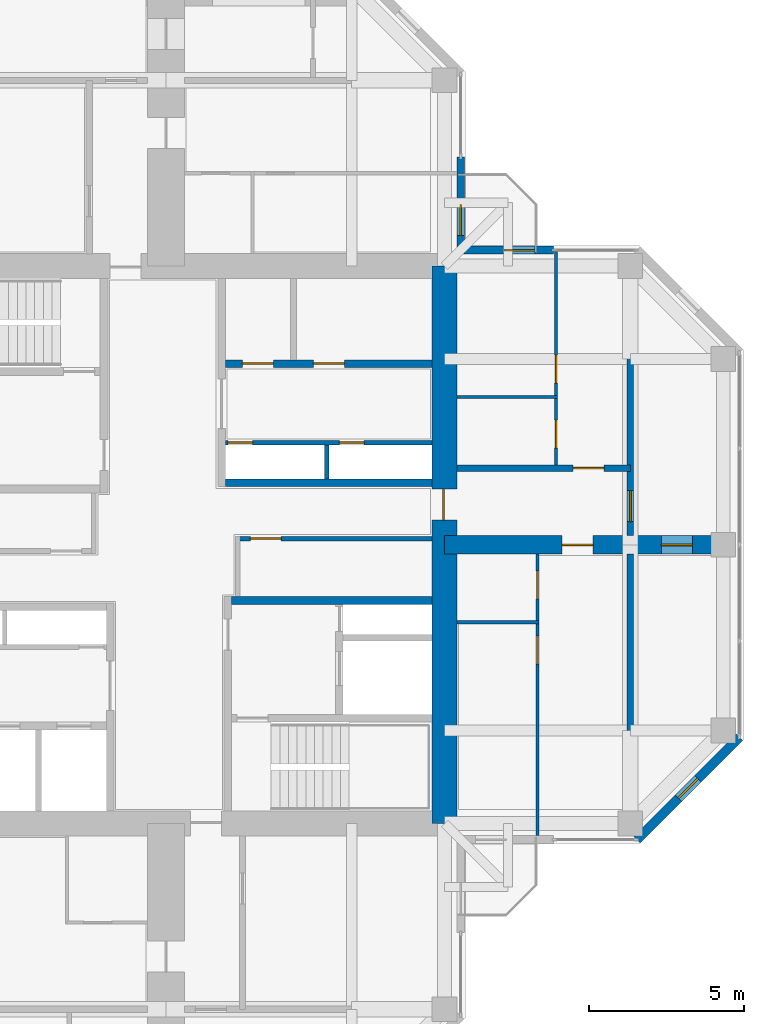
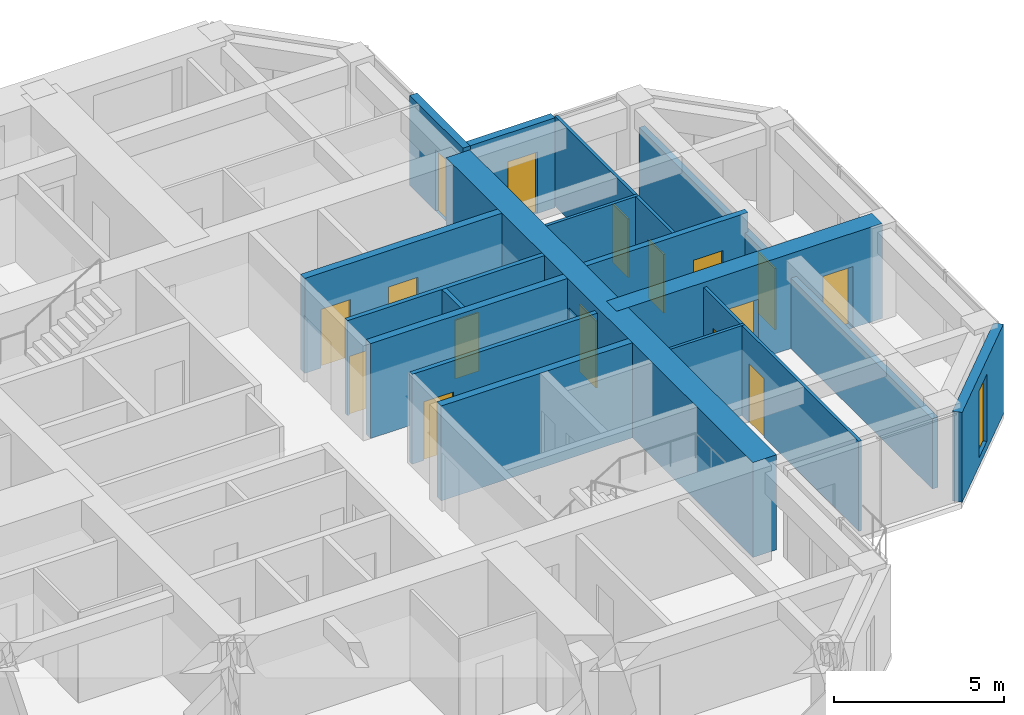
# One storey, part 11 of 13: 18 walls, 16 doors, 1 window, 17 openings.
"""IFC4 building model written with IfcOpenShell, lengths in metres."""

from ifc_helpers import new_model, si_unit, direction, frame, frame_2d, origin, place, context, subcontext, project, spatial, rectangle, hollow_rectangle, extrude, material, layer, layer_set, constituent, constituent_set, type_object, element, fill, save


model = new_model("IFC4")

# Units and contexts
model_context = context("Model", 3, precision=1e-05, world=origin(), true_north=direction((0.0, 1.0)))
body_context = subcontext(model_context, "Body", "Model", "MODEL_VIEW")
ifc_project = project(units=[si_unit("LENGTHUNIT", "METRE"), si_unit("AREAUNIT", "SQUARE_METRE"), si_unit("VOLUMEUNIT", "CUBIC_METRE"), si_unit("PLANEANGLEUNIT", "RADIAN"), si_unit("MASSUNIT", "GRAM", prefix="KILO")], contexts=[model_context])

# Site, building, storey
site_placement = place(None, origin())
site = spatial("IfcSite", under=ifc_project, at=site_placement, CompositionType="ELEMENT")
building_placement = place(site_placement, origin())
building = spatial("IfcBuilding", under=site, at=building_placement, Name="Torre Cruceta", CompositionType="ELEMENT")
storey_placement = place(building_placement, frame((0.0, 0.0, 242.5)))
storey = spatial("IfcBuildingStorey", under=building, at=storey_placement, Name="L62", CompositionType="ELEMENT", Elevation=242.5)

# Wall
ifc_material_1 = material(Name="Water-resistant plasterboard on steel studs", Category="steel")
ifc_layer_1 = layer(ifc_material_1, 0.10009765625)
ifc_layer_set_1 = layer_set([ifc_layer_1], Name="Water-resistant plasterboard on steel studs")
wall_type_1 = type_object("IfcWallType", Name="BATHROOM WALL 100", PredefinedType="PARTITIONING", material=ifc_layer_set_1)
wall_1_placement = place(storey_placement, frame((9.39990234375, 4.77490234375, 0.0), z_axis=(0.0, 0.0, 1.0), x_axis=(1.0, 0.0, 0.0)))
element("IfcWall", 1, at=wall_1_placement, inside=storey, type_object=wall_type_1, Name="PT4 L62-E-U1LBB", PredefinedType="PARTITIONING", context=body_context, shape_type="SweptSolid", body=[
    extrude(rectangle(XDim=3.25, YDim=0.10009765625, at=frame_2d((1.625, 0.0))), origin(), (0.0, 0.0, 1.0), 3.219970703125),
])

# Wall, openings, doors
wall_2_placement = place(storey_placement, frame((12.60009765625, 2.574951171875, 0.0), z_axis=(0.0, 0.0, 1.0), x_axis=(0.0, 1.0, 0.0)))
wall_2 = element("IfcWall", 2, at=wall_2_placement, inside=storey, type_object=wall_type_1, Name="PT4 L62-E-U1LBS", PredefinedType="PARTITIONING", context=body_context, shape_type="SweptSolid", body=[
    extrude(rectangle(XDim=6.905029296875, YDim=0.10009765625, at=frame_2d((3.45263671875, 0.0))), origin(), (0.0, 0.0, 1.0), 3.219970703125),
])
opening_1_placement = place(wall_2_placement, frame((0.550048828125, 0.0, 0.0)))
opening_1 = element("IfcOpeningElement", 3, at=opening_1_placement, cuts=wall_2, Name="Opening D7", PredefinedType="OPENING", context=body_context, shape_type="SweptSolid", body=[
    extrude(rectangle(XDim=0.89990234375, YDim=2.10009765625, at=frame_2d((0.449951171875, 1.050048828125))), frame((0.0, 0.06005859375, 0.0), z_axis=(0.0, -1.0, 0.0), x_axis=(1.0, 0.0, 0.0)), (0.0, 0.0, 1.0), 0.1201171875),
])
opening_2_placement = place(wall_2_placement, frame((2.64990234375, 0.0, 0.0)))
opening_2 = element("IfcOpeningElement", 4, at=opening_2_placement, cuts=wall_2, Name="Opening D7", PredefinedType="OPENING", context=body_context, shape_type="SweptSolid", body=[
    extrude(rectangle(XDim=0.89990234375, YDim=2.10009765625, at=frame_2d((0.449951171875, 1.050048828125))), frame((0.0, 0.06005859375, 0.0), z_axis=(0.0, -1.0, 0.0), x_axis=(1.0, 0.0, 0.0)), (0.0, 0.0, 1.0), 0.1201171875),
])
ifc_material_2 = material(Name="Timber door", Category="wood")
door_type_1 = type_object("IfcDoorType", Name="BATHROOM DOOR 900X2100", OperationType="SINGLE_SWING_LEFT", PredefinedType="DOOR", material=ifc_material_2)
door_1_placement = place(opening_1_placement, origin())
door_1 = element("IfcDoor", 5, at=door_1_placement, inside=storey, type_object=door_type_1, Name="D7 L62-E-U1LBS-D1", OperationType="SINGLE_SWING_LEFT", OverallHeight=2.10009765625, OverallWidth=0.89990234375, PredefinedType="DOOR", context=body_context, shape_type="SweptSolid", body=[
    extrude(rectangle(XDim=0.89990234375, YDim=2.10009765625, at=frame_2d((0.449951171875, 1.050048828125))), frame((0.0, 0.02490234375, 0.0), z_axis=(0.0, -1.0, 0.0), x_axis=(1.0, 0.0, 0.0)), (0.0, 0.0, 1.0), 0.050048828125),
])
fill(opening_1, door_1)
door_2_placement = place(opening_2_placement, origin())
door_2 = element("IfcDoor", 6, at=door_2_placement, inside=storey, type_object=door_type_1, Name="D7 L62-E-U1LBS-D2", OperationType="SINGLE_SWING_LEFT", OverallHeight=2.10009765625, OverallWidth=0.89990234375, PredefinedType="DOOR", context=body_context, shape_type="SweptSolid", body=[
    extrude(rectangle(XDim=0.89990234375, YDim=2.10009765625, at=frame_2d((0.449951171875, 1.050048828125))), frame((0.0, 0.02490234375, 0.0), z_axis=(0.0, -1.0, 0.0), x_axis=(1.0, 0.0, 0.0)), (0.0, 0.0, 1.0), 0.050048828125),
])
fill(opening_2, door_2)

# Wall
wall_3_placement = place(storey_placement, frame((9.39990234375, -2.5, 0.0), z_axis=(0.0, 0.0, 1.0), x_axis=(1.0, 0.0, 0.0)))
element("IfcWall", 7, at=wall_3_placement, inside=storey, type_object=wall_type_1, Name="PT4 L62-E-U1RBB", PredefinedType="PARTITIONING", context=body_context, shape_type="SweptSolid", body=[
    extrude(rectangle(XDim=2.650146484375, YDim=0.10009765625, at=frame_2d((1.3251953125, 0.0))), origin(), (0.0, 0.0, 1.0), 3.219970703125),
])

# Wall, openings, doors
wall_4_placement = place(storey_placement, frame((12.0, -9.39501953125, 0.0), z_axis=(0.0, 0.0, 1.0), x_axis=(0.0, 1.0, 0.0)))
wall_4 = element("IfcWall", 8, at=wall_4_placement, inside=storey, type_object=wall_type_1, Name="PT4 L62-E-U1RBS", PredefinedType="PARTITIONING", context=body_context, shape_type="SweptSolid", body=[
    extrude(rectangle(XDim=9.094970703125, YDim=0.10009765625, at=frame_2d((4.54736328125, 0.0))), origin(), (0.0, 0.0, 1.0), 3.219970703125),
])
opening_3_placement = place(wall_4_placement, frame((5.544921875, 0.0, 0.0)))
opening_3 = element("IfcOpeningElement", 9, at=opening_3_placement, cuts=wall_4, Name="Opening D7", PredefinedType="OPENING", context=body_context, shape_type="SweptSolid", body=[
    extrude(rectangle(XDim=0.89990234375, YDim=2.10009765625, at=frame_2d((0.449951171875, 1.050048828125))), frame((0.0, 0.06005859375, 0.0), z_axis=(0.0, -1.0, 0.0), x_axis=(1.0, 0.0, 0.0)), (0.0, 0.0, 1.0), 0.1201171875),
])
opening_4_placement = place(wall_4_placement, frame((7.64501953125, 0.0, 0.0)))
opening_4 = element("IfcOpeningElement", 10, at=opening_4_placement, cuts=wall_4, Name="Opening D7", PredefinedType="OPENING", context=body_context, shape_type="SweptSolid", body=[
    extrude(rectangle(XDim=0.89990234375, YDim=2.10009765625, at=frame_2d((0.449951171875, 1.050048828125))), frame((0.0, 0.06005859375, 0.0), z_axis=(0.0, -1.0, 0.0), x_axis=(1.0, 0.0, 0.0)), (0.0, 0.0, 1.0), 0.1201171875),
])
door_3_placement = place(opening_3_placement, origin())
door_3 = element("IfcDoor", 11, at=door_3_placement, inside=storey, type_object=door_type_1, Name="D7 L62-E-U1RBS-D1", OperationType="SINGLE_SWING_RIGHT", OverallHeight=2.10009765625, OverallWidth=0.89990234375, PredefinedType="DOOR", context=body_context, shape_type="SweptSolid", body=[
    extrude(rectangle(XDim=0.89990234375, YDim=2.10009765625, at=frame_2d((0.449951171875, 1.050048828125))), frame((0.0, 0.02490234375, 0.0), z_axis=(0.0, -1.0, 0.0), x_axis=(1.0, 0.0, 0.0)), (0.0, 0.0, 1.0), 0.050048828125),
])
fill(opening_3, door_3)
door_4_placement = place(opening_4_placement, origin())
door_4 = element("IfcDoor", 12, at=door_4_placement, inside=storey, type_object=door_type_1, Name="D7 L62-E-U1RBS-D2", OperationType="SINGLE_SWING_RIGHT", OverallHeight=2.10009765625, OverallWidth=0.89990234375, PredefinedType="DOOR", context=body_context, shape_type="SweptSolid", body=[
    extrude(rectangle(XDim=0.89990234375, YDim=2.10009765625, at=frame_2d((0.449951171875, 1.050048828125))), frame((0.0, 0.02490234375, 0.0), z_axis=(0.0, -1.0, 0.0), x_axis=(1.0, 0.0, 0.0)), (0.0, 0.0, 1.0), 0.050048828125),
])
fill(opening_4, door_4)

# Wall
ifc_material_3 = material(Name="Concrete G60 (fck 60 MPa)", Category="concrete")
ifc_layer_2 = layer(ifc_material_3, 0.25)
ifc_layer_set_2 = layer_set([ifc_layer_2], Name="Concrete G60 (fck 60 MPa)")
wall_type_2 = type_object("IfcWallType", Name="CORE INNER WALL 250 G60", PredefinedType="SHEAR", material=ifc_layer_set_2)
wall_5_placement = place(storey_placement, frame((1.925048828125, 2.0, 0.0), z_axis=(0.0, 0.0, 1.0), x_axis=(1.0, 0.0, 0.0)))
element("IfcWall", 13, at=wall_5_placement, inside=storey, type_object=wall_type_2, Name="CW4 L62 NE-CV", PredefinedType="SHEAR", context=body_context, shape_type="SweptSolid", body=[
    extrude(rectangle(XDim=6.675048828125, YDim=0.25, at=frame_2d((3.33740234375, 0.0))), origin(), (0.0, 0.0, 1.0), 3.39990234375),
])

# Wall, openings, doors
wall_6_placement = place(storey_placement, frame((1.925048828125, 5.85009765625, 0.0), z_axis=(0.0, 0.0, 1.0), x_axis=(1.0, 0.0, 0.0)))
wall_6 = element("IfcWall", 14, at=wall_6_placement, inside=storey, type_object=wall_type_2, Name="CW4 L62 NE-LV", PredefinedType="SHEAR", context=body_context, shape_type="SweptSolid", body=[
    extrude(rectangle(XDim=6.675048828125, YDim=0.25, at=frame_2d((3.33740234375, 0.0))), origin(), (0.0, 0.0, 1.0), 3.39990234375),
])
opening_5_placement = place(wall_6_placement, frame((0.5458984375, 0.0, 0.0)))
opening_5 = element("IfcOpeningElement", 15, at=opening_5_placement, cuts=wall_6, Name="Opening D3", PredefinedType="OPENING", context=body_context, shape_type="SweptSolid", body=[
    extrude(rectangle(XDim=1.0, YDim=2.10009765625, at=frame_2d((0.5, 1.050048828125))), frame((0.0, 0.135009765625, 0.0), z_axis=(0.0, -1.0, 0.0), x_axis=(1.0, 0.0, 0.0)), (0.0, 0.0, 1.0), 0.27001953125),
])
opening_6_placement = place(wall_6_placement, frame((2.83740234375, 0.0, 0.0)))
opening_6 = element("IfcOpeningElement", 16, at=opening_6_placement, cuts=wall_6, Name="Opening D3", PredefinedType="OPENING", context=body_context, shape_type="SweptSolid", body=[
    extrude(rectangle(XDim=1.0, YDim=2.10009765625, at=frame_2d((0.5, 1.050048828125))), frame((0.0, 0.135009765625, 0.0), z_axis=(0.0, -1.0, 0.0), x_axis=(1.0, 0.0, 0.0)), (0.0, 0.0, 1.0), 0.27001953125),
])
ifc_material_4 = material(Name="Steel DX51D", Category="steel")
ifc_constituent_1 = constituent(ifc_material_4, Name="Leaf and frame")
ifc_material_5 = material(Name="Polyester powder coating", Category="paint")
ifc_constituent_2 = constituent(ifc_material_5, Name="Finish")
ifc_constituent_set_1 = constituent_set(constituents=[ifc_constituent_1, ifc_constituent_2], Name="Steel fire door")
door_type_2 = type_object("IfcDoorType", Name="FIRE DOOR 1000X2100", OperationType="SINGLE_SWING_LEFT", PredefinedType="DOOR", material=ifc_constituent_set_1)
door_5_placement = place(opening_5_placement, origin())
door_5 = element("IfcDoor", 17, at=door_5_placement, inside=storey, type_object=door_type_2, Name="D3 L62 NE-HR1", OperationType="SINGLE_SWING_LEFT", OverallHeight=2.10009765625, OverallWidth=1.0, PredefinedType="DOOR", context=body_context, shape_type="SweptSolid", body=[
    extrude(rectangle(XDim=1.0, YDim=2.10009765625, at=frame_2d((0.5, 1.050048828125))), frame((0.0, 0.02490234375, 0.0), z_axis=(0.0, -1.0, 0.0), x_axis=(1.0, 0.0, 0.0)), (0.0, 0.0, 1.0), 0.050048828125),
])
fill(opening_5, door_5)
door_6_placement = place(opening_6_placement, origin())
door_6 = element("IfcDoor", 18, at=door_6_placement, inside=storey, type_object=door_type_2, Name="D3 L62 NE-HR2", OperationType="SINGLE_SWING_LEFT", OverallHeight=2.10009765625, OverallWidth=1.0, PredefinedType="DOOR", context=body_context, shape_type="SweptSolid", body=[
    extrude(rectangle(XDim=1.0, YDim=2.10009765625, at=frame_2d((0.5, 1.050048828125))), frame((0.0, 0.02490234375, 0.0), z_axis=(0.0, -1.0, 0.0), x_axis=(1.0, 0.0, 0.0)), (0.0, 0.0, 1.0), 0.050048828125),
])
fill(opening_6, door_6)

# Wall
wall_7_placement = place(storey_placement, frame((2.125, -1.800048828125, 0.0), z_axis=(0.0, 0.0, 1.0), x_axis=(1.0, 0.0, 0.0)))
element("IfcWall", 19, at=wall_7_placement, inside=storey, type_object=wall_type_2, Name="CW4 L62 SE-CV", PredefinedType="SHEAR", context=body_context, shape_type="SweptSolid", body=[
    extrude(rectangle(XDim=6.47509765625, YDim=0.25, at=frame_2d((3.237548828125, 0.0))), origin(), (0.0, 0.0, 1.0), 3.39990234375),
])

# Wall, opening, door
ifc_material_6 = material(Name="Concrete G60 (fck 60 MPa)", Category="concrete")
ifc_layer_3 = layer(ifc_material_6, 0.800048828125)
ifc_layer_set_3 = layer_set([ifc_layer_3], Name="Concrete G60 (fck 60 MPa)")
wall_type_3 = type_object("IfcWallType", Name="CORE WALL 800 G60", PredefinedType="SHEAR", material=ifc_layer_set_3)
wall_8_placement = place(storey_placement, frame((9.0, -9.0, 0.0), z_axis=(0.0, 0.0, 1.0), x_axis=(0.0, 1.0, 0.0)))
wall_8 = element("IfcWall", 20, at=wall_8_placement, inside=storey, type_object=wall_type_3, Name="CW3 L62 CW-E", PredefinedType="SHEAR", context=body_context, shape_type="SweptSolid", body=[
    extrude(rectangle(XDim=18.0, YDim=0.800048828125, at=frame_2d((9.0, 0.0))), origin(), (0.0, 0.0, 1.0), 3.39990234375),
])
opening_7_placement = place(wall_8_placement, frame((9.800048828125, 0.0, 0.0)))
opening_7 = element("IfcOpeningElement", 21, at=opening_7_placement, cuts=wall_8, Name="Opening D4", PredefinedType="OPENING", context=body_context, shape_type="SweptSolid", body=[
    extrude(rectangle(XDim=1.0, YDim=2.39990234375, at=frame_2d((0.5, 1.199951171875))), frame((0.0, 0.409912109375, 0.0), z_axis=(0.0, -1.0, 0.0), x_axis=(1.0, 0.0, 0.0)), (0.0, 0.0, 1.0), 0.820068359375),
])
ifc_material_7 = material(Name="Steel DX51D", Category="steel")
ifc_constituent_3 = constituent(ifc_material_7, Name="Leaf and frame")
ifc_material_8 = material(Name="Polyester powder coating", Category="paint")
ifc_constituent_4 = constituent(ifc_material_8, Name="Finish")
ifc_constituent_set_2 = constituent_set(constituents=[ifc_constituent_3, ifc_constituent_4], Name="Steel fire door")
door_type_3 = type_object("IfcDoorType", Name="CORE ARM DOOR 1000X2400", OperationType="SINGLE_SWING_RIGHT", PredefinedType="DOOR", material=ifc_constituent_set_2)
door_7_placement = place(opening_7_placement, origin())
door_7 = element("IfcDoor", 22, at=door_7_placement, inside=storey, type_object=door_type_3, Name="D4 L62 CW-E", OperationType="SINGLE_SWING_RIGHT", OverallHeight=2.39990234375, OverallWidth=1.0, PredefinedType="DOOR", context=body_context, shape_type="SweptSolid", body=[
    extrude(rectangle(XDim=1.0, YDim=2.39990234375, at=frame_2d((0.5, 1.199951171875))), frame((0.0, 0.05517578125, 0.0), z_axis=(0.0, -1.0, 0.0), x_axis=(1.0, 0.0, 0.0)), (0.0, 0.0, 1.0), 0.050048828125),
])
fill(opening_7, door_7)

ifc_material_9 = material(Name="Concrete G25 (fck 25 MPa)", Category="concrete")
ifc_layer_4 = layer(ifc_material_9, 0.199951171875)
ifc_layer_set_4 = layer_set([ifc_layer_4], Name="Concrete G25 (fck 25 MPa)")
wall_type_4 = type_object("IfcWallType", Name="CORRIDOR WALL 200", PredefinedType="SOLIDWALL", material=ifc_layer_set_4)
wall_9_placement = place(storey_placement, frame((9.39990234375, 2.47509765625, 0.0), z_axis=(0.0, 0.0, 1.0), x_axis=(1.0, 0.0, 0.0)))
wall_9 = element("IfcWall", 23, at=wall_9_placement, inside=storey, type_object=wall_type_4, Name="PT3 L62-E-CL", PredefinedType="SOLIDWALL", context=body_context, shape_type="SweptSolid", body=[
    extrude(rectangle(XDim=5.60009765625, YDim=0.199951171875, at=frame_2d((2.800048828125, 0.0))), origin(), (0.0, 0.0, 1.0), 3.219970703125),
])
opening_8_placement = place(wall_9_placement, frame((3.75, 0.0, 0.0)))
opening_8 = element("IfcOpeningElement", 24, at=opening_8_placement, cuts=wall_9, Name="Opening D6", PredefinedType="OPENING", context=body_context, shape_type="SweptSolid", body=[
    extrude(rectangle(XDim=1.0, YDim=2.14990234375, at=frame_2d((0.5, 1.074951171875))), frame((0.0, 0.10986328125, 0.0), z_axis=(0.0, -1.0, 0.0), x_axis=(1.0, 0.0, 0.0)), (0.0, 0.0, 1.0), 0.219970703125),
])
ifc_material_10 = material(Name="Timber fire door", Category="wood")
door_type_4 = type_object("IfcDoorType", Name="UNIT ENTRANCE DOOR 1000X2150", OperationType="SINGLE_SWING_LEFT", PredefinedType="DOOR", material=ifc_material_10)
door_8_placement = place(opening_8_placement, origin())
door_8 = element("IfcDoor", 25, at=door_8_placement, inside=storey, type_object=door_type_4, Name="D6 L62-E-CL-D1", OperationType="SINGLE_SWING_LEFT", OverallHeight=2.14990234375, OverallWidth=1.0, PredefinedType="DOOR", context=body_context, shape_type="SweptSolid", body=[
    extrude(rectangle(XDim=1.0, YDim=2.14990234375, at=frame_2d((0.5, 1.074951171875))), frame((0.0, 0.02490234375, 0.0), z_axis=(0.0, -1.0, 0.0), x_axis=(1.0, 0.0, 0.0)), (0.0, 0.0, 1.0), 0.050048828125),
])
fill(opening_8, door_8)

# Wall, opening, window
ifc_material_11 = material(Name="Concrete G30 (fck 30 MPa)", Category="concrete")
ifc_layer_5 = layer(ifc_material_11, 0.300048828125)
ifc_layer_set_5 = layer_set([ifc_layer_5], Name="Concrete G30 (fck 30 MPa)")
wall_type_5 = type_object("IfcWallType", Name="EXPOSED CONCRETE FACADE WALL 300", PredefinedType="SOLIDWALL", material=ifc_layer_set_5)
wall_10_placement = place(storey_placement, frame((15.21533203125, -9.52001953125, 0.0), z_axis=(0.0, 0.0, 1.0), x_axis=(0.707106781187, 0.707106781187, 0.0)))
wall_10 = element("IfcWall", 26, at=wall_10_placement, inside=storey, type_object=wall_type_5, Name="EW1 facade wall L62 E chamfer 01", PredefinedType="SOLIDWALL", context=body_context, shape_type="SweptSolid", body=[
    extrude(rectangle(XDim=4.673583984375, YDim=0.300048828125, at=frame_2d((2.3369140625, 0.0))), origin(), (0.0, 0.0, 1.0), 3.219970703125),
])
opening_9_placement = place(wall_10_placement, frame((1.88671875, 0.0, 0.300048828125)))
opening_9 = element("IfcOpeningElement", 27, at=opening_9_placement, cuts=wall_10, Name="Opening WN5", PredefinedType="OPENING", context=body_context, shape_type="SweptSolid", body=[
    extrude(rectangle(XDim=0.89990234375, YDim=2.39990234375, at=frame_2d((0.449951171875, 1.199951171875))), frame((0.0, 0.159912109375, 0.0), z_axis=(0.0, -1.0, 0.0), x_axis=(1.0, 0.0, 0.0)), (0.0, 0.0, 1.0), 0.320068359375),
])
ifc_material_12 = material(Name="Aluminium window frame", Category="aluminium")
ifc_constituent_5 = constituent(ifc_material_12, Name="Frame")
ifc_material_13 = material(Name="Laminated insulating glass unit, low-iron clear", Category="glass")
ifc_constituent_6 = constituent(ifc_material_13, Name="Glazing")
ifc_constituent_set_3 = constituent_set(constituents=[ifc_constituent_5, ifc_constituent_6], Name="Aluminium window")
window_type = type_object("IfcWindowType", Name="CHAMFER SLOT WINDOW 900X2400", PartitioningType="SINGLE_PANEL", PredefinedType="WINDOW", material=ifc_constituent_set_3)
window_placement = place(opening_9_placement, origin())
window = element("IfcWindow", 28, at=window_placement, inside=storey, type_object=window_type, Name="WN5 L62 E 1", OverallHeight=2.39990234375, OverallWidth=0.89990234375, PartitioningType="SINGLE_PANEL", PredefinedType="WINDOW", context=body_context, shape_type="SweptSolid", body=[
    extrude(hollow_rectangle(XDim=0.89990234375, YDim=2.39990234375, WallThickness=0.06005859375, at=frame_2d((0.449951171875, 1.199951171875))), frame((0.0, 0.030029296875, 0.0), z_axis=(0.0, -1.0, 0.0), x_axis=(1.0, 0.0, 0.0)), (0.0, 0.0, 1.0), 0.06005859375),
    extrude(rectangle(XDim=0.77880859375, YDim=2.27880859375, at=frame_2d((0.449951171875, 1.199951171875))), frame((0.0, 0.030029296875, 0.0), z_axis=(0.0, -1.0, 0.0), x_axis=(1.0, 0.0, 0.0)), (0.0, 0.0, 1.0), 0.06005859375),
])
fill(opening_9, window)

# Wall, opening, door
ifc_material_14 = material(Name="Plasterboard on steel studs", Category="steel")
ifc_layer_6 = layer(ifc_material_14, 0.14990234375)
ifc_layer_set_6 = layer_set([ifc_layer_6], Name="Plasterboard on steel studs")
wall_type_6 = type_object("IfcWallType", Name="PARTITION 150", PredefinedType="PARTITIONING", material=ifc_layer_set_6)
wall_11_placement = place(storey_placement, frame((2.324951171875, 0.199951171875, 0.0), z_axis=(0.0, 0.0, 1.0), x_axis=(1.0, 0.0, 0.0)))
wall_11 = element("IfcWall", 29, at=wall_11_placement, inside=storey, type_object=wall_type_6, Name="PT1 L62-CORE-LEGE-S-W1", PredefinedType="PARTITIONING", context=body_context, shape_type="SweptSolid", body=[
    extrude(rectangle(XDim=6.275146484375, YDim=0.14990234375, at=frame_2d((3.1376953125, 0.0))), origin(), (0.0, 0.0, 1.0), 3.219970703125),
])
opening_10_placement = place(wall_11_placement, frame((0.39990234375, 0.0, 0.0)))
opening_10 = element("IfcOpeningElement", 30, at=opening_10_placement, cuts=wall_11, Name="Opening D3", PredefinedType="OPENING", context=body_context, shape_type="SweptSolid", body=[
    extrude(rectangle(XDim=1.0, YDim=2.10009765625, at=frame_2d((0.5, 1.050048828125))), frame((0.0, 0.0849609375, 0.0), z_axis=(0.0, -1.0, 0.0), x_axis=(1.0, 0.0, 0.0)), (0.0, 0.0, 1.0), 0.169921875),
])
door_9_placement = place(opening_10_placement, frame((1.0, 0.0, 0.0), z_axis=(0.0, 0.0, 1.0), x_axis=(-1.0, 0.0, 0.0)))
door_9 = element("IfcDoor", 31, at=door_9_placement, inside=storey, type_object=door_type_2, Name="D3 L62-CORE-LEGE-S-W1-D1", OperationType="SINGLE_SWING_RIGHT", OverallHeight=2.10009765625, OverallWidth=1.0, PredefinedType="DOOR", context=body_context, shape_type="SweptSolid", body=[
    extrude(rectangle(XDim=1.0, YDim=2.10009765625, at=frame_2d((0.5, 1.050048828125))), frame((0.0, 0.025146484375, 0.0), z_axis=(0.0, -1.0, 0.0), x_axis=(1.0, 0.0, 0.0)), (0.0, 0.0, 1.0), 0.050048828125),
])
fill(opening_10, door_9)

# Wall, openings, doors
ifc_material_15 = material(Name="Concrete block masonry", Category="masonry")
ifc_layer_7 = layer(ifc_material_15, 0.14990234375)
ifc_layer_set_7 = layer_set([ifc_layer_7], Name="Concrete block masonry")
wall_type_7 = type_object("IfcWallType", Name="RISER WALL 150", PredefinedType="PARTITIONING", material=ifc_layer_set_7)
wall_12_placement = place(storey_placement, frame((1.925048828125, 3.300048828125, 0.0), z_axis=(0.0, 0.0, 1.0), x_axis=(1.0, 0.0, 0.0)))
wall_12 = element("IfcWall", 32, at=wall_12_placement, inside=storey, type_object=wall_type_7, Name="SW7 L62 NE-RV", PredefinedType="PARTITIONING", context=body_context, shape_type="SweptSolid", body=[
    extrude(rectangle(XDim=6.675048828125, YDim=0.14990234375, at=frame_2d((3.33740234375, 0.0))), origin(), (0.0, 0.0, 1.0), 3.39990234375),
])
opening_11_placement = place(wall_12_placement, frame((0.074951171875, 0.0, 0.0)))
opening_11 = element("IfcOpeningElement", 33, at=opening_11_placement, cuts=wall_12, Name="Opening D5", PredefinedType="OPENING", context=body_context, shape_type="SweptSolid", body=[
    extrude(rectangle(XDim=0.800048828125, YDim=2.10009765625, at=frame_2d((0.39990234375, 1.050048828125))), frame((0.0, 0.0849609375, 0.0), z_axis=(0.0, -1.0, 0.0), x_axis=(1.0, 0.0, 0.0)), (0.0, 0.0, 1.0), 0.169921875),
])
opening_12_placement = place(wall_12_placement, frame((3.675048828125, 0.0, 0.0)))
opening_12 = element("IfcOpeningElement", 34, at=opening_12_placement, cuts=wall_12, Name="Opening D5", PredefinedType="OPENING", context=body_context, shape_type="SweptSolid", body=[
    extrude(rectangle(XDim=0.800048828125, YDim=2.10009765625, at=frame_2d((0.39990234375, 1.050048828125))), frame((0.0, 0.0849609375, 0.0), z_axis=(0.0, -1.0, 0.0), x_axis=(1.0, 0.0, 0.0)), (0.0, 0.0, 1.0), 0.169921875),
])
ifc_material_16 = material(Name="Steel DX51D", Category="steel")
ifc_constituent_7 = constituent(ifc_material_16, Name="Leaf and frame")
ifc_material_17 = material(Name="Polyester powder coating", Category="paint")
ifc_constituent_8 = constituent(ifc_material_17, Name="Finish")
ifc_constituent_set_4 = constituent_set(constituents=[ifc_constituent_7, ifc_constituent_8], Name="Steel fire door")
door_type_5 = type_object("IfcDoorType", Name="RISER ACCESS DOOR 800X2100", OperationType="SINGLE_SWING_LEFT", PredefinedType="DOOR", material=ifc_constituent_set_4)
door_10_placement = place(opening_11_placement, frame((0.800048828125, 0.0, 0.0), z_axis=(0.0, 0.0, 1.0), x_axis=(-1.0, 0.0, 0.0)))
door_10 = element("IfcDoor", 35, at=door_10_placement, inside=storey, type_object=door_type_5, Name="D5 L62 NE-RISER1", OperationType="SINGLE_SWING_RIGHT", OverallHeight=2.10009765625, OverallWidth=0.800048828125, PredefinedType="DOOR", context=body_context, shape_type="SweptSolid", body=[
    extrude(rectangle(XDim=0.800048828125, YDim=2.10009765625, at=frame_2d((0.400146484375, 1.050048828125))), frame((0.0, 0.025146484375, 0.0), z_axis=(0.0, -1.0, 0.0), x_axis=(1.0, 0.0, 0.0)), (0.0, 0.0, 1.0), 0.050048828125),
])
fill(opening_11, door_10)
door_11_placement = place(opening_12_placement, frame((0.800048828125, 0.0, 0.0), z_axis=(0.0, 0.0, 1.0), x_axis=(-1.0, 0.0, 0.0)))
door_11 = element("IfcDoor", 36, at=door_11_placement, inside=storey, type_object=door_type_5, Name="D5 L62 NE-RISER2", OperationType="SINGLE_SWING_RIGHT", OverallHeight=2.10009765625, OverallWidth=0.800048828125, PredefinedType="DOOR", context=body_context, shape_type="SweptSolid", body=[
    extrude(rectangle(XDim=0.800048828125, YDim=2.10009765625, at=frame_2d((0.400146484375, 1.050048828125))), frame((0.0, 0.025146484375, 0.0), z_axis=(0.0, -1.0, 0.0), x_axis=(1.0, 0.0, 0.0)), (0.0, 0.0, 1.0), 0.050048828125),
])
fill(opening_12, door_11)

# Wall
wall_13_placement = place(storey_placement, frame((5.199951171875, 2.125, 0.0), z_axis=(0.0, 0.0, 1.0), x_axis=(0.0, 1.0, 0.0)))
element("IfcWall", 37, at=wall_13_placement, inside=storey, type_object=wall_type_7, Name="SW7 L62 NE-RU", PredefinedType="PARTITIONING", context=body_context, shape_type="SweptSolid", body=[
    extrude(rectangle(XDim=1.10009765625, YDim=0.14990234375, at=frame_2d((0.550048828125, 0.0))), origin(), (0.0, 0.0, 1.0), 3.39990234375),
])

# Wall, openings, doors
ifc_material_18 = material(Name="Concrete G60 (fck 60 MPa)", Category="concrete")
ifc_layer_8 = layer(ifc_material_18, 0.60009765625)
ifc_layer_set_8 = layer_set([ifc_layer_8], Name="Concrete G60 (fck 60 MPa)")
wall_type_8 = type_object("IfcWallType", Name="SPINE WALL 600 G60", PredefinedType="SHEAR", material=ifc_layer_set_8)
wall_14_placement = place(storey_placement, frame((9.0, 0.0, 0.0), z_axis=(0.0, 0.0, 1.0), x_axis=(1.0, 0.0, 0.0)))
wall_14 = element("IfcWall", 38, at=wall_14_placement, inside=storey, type_object=wall_type_8, Name="SW5 spine wall L62 E", PredefinedType="SHEAR", context=body_context, shape_type="SweptSolid", body=[
    extrude(rectangle(XDim=9.0, YDim=0.60009765625, at=frame_2d((4.5, 0.0))), origin(), (0.0, 0.0, 1.0), 3.39990234375),
])
opening_13_placement = place(wall_14_placement, frame((3.800048828125, 0.0, 0.0)))
opening_13 = element("IfcOpeningElement", 39, at=opening_13_placement, cuts=wall_14, Name="Opening D6", PredefinedType="OPENING", context=body_context, shape_type="SweptSolid", body=[
    extrude(rectangle(XDim=1.0, YDim=2.14990234375, at=frame_2d((0.5, 1.074951171875))), frame((0.0, 0.31005859375, 0.0), z_axis=(0.0, -1.0, 0.0), x_axis=(1.0, 0.0, 0.0)), (0.0, 0.0, 1.0), 0.6201171875),
])
opening_14_placement = place(wall_14_placement, frame((7.0, 0.0, 0.0)))
opening_14 = element("IfcOpeningElement", 40, at=opening_14_placement, cuts=wall_14, Name="Opening D14", PredefinedType="OPENING", context=body_context, shape_type="SweptSolid", body=[
    extrude(rectangle(XDim=1.0, YDim=2.199951171875, at=frame_2d((0.5, 1.10009765625))), frame((0.0, 0.31005859375, 0.0), z_axis=(0.0, -1.0, 0.0), x_axis=(1.0, 0.0, 0.0)), (0.0, 0.0, 1.0), 0.6201171875),
])
ifc_material_19 = material(Name="Steel DX51D", Category="steel")
ifc_constituent_9 = constituent(ifc_material_19, Name="Leaf and frame")
ifc_material_20 = material(Name="Polyester powder coating", Category="paint")
ifc_constituent_10 = constituent(ifc_material_20, Name="Finish")
ifc_material_21 = material(Name="Fire-resisting glass", Category="glass")
ifc_constituent_11 = constituent(ifc_material_21, Name="Vision panel")
ifc_constituent_set_5 = constituent_set(constituents=[ifc_constituent_9, ifc_constituent_10, ifc_constituent_11], Name="Steel fire door with vision panel")
door_type_6 = type_object("IfcDoorType", Name="FIRE DOOR VISION PANEL 1000X2200", OperationType="SINGLE_SWING_RIGHT", PredefinedType="DOOR", material=ifc_constituent_set_5)
door_12_placement = place(opening_14_placement, origin())
door_12 = element("IfcDoor", 41, at=door_12_placement, inside=storey, type_object=door_type_6, Name="D14 L62-E-SP2", OperationType="SINGLE_SWING_LEFT", OverallHeight=2.199951171875, OverallWidth=1.0, PredefinedType="DOOR", context=body_context, shape_type="SweptSolid", body=[
    extrude(rectangle(XDim=1.0, YDim=2.199951171875, at=frame_2d((0.5, 1.10009765625))), frame((0.0, 0.02490234375, 0.0), z_axis=(0.0, -1.0, 0.0), x_axis=(1.0, 0.0, 0.0)), (0.0, 0.0, 1.0), 0.050048828125),
])
fill(opening_14, door_12)
door_13_placement = place(opening_13_placement, frame((1.0, 0.0, 0.0), z_axis=(0.0, 0.0, 1.0), x_axis=(-1.0, 0.0, 0.0)))
door_13 = element("IfcDoor", 42, at=door_13_placement, inside=storey, type_object=door_type_4, Name="D6 L62-E-SP1", OperationType="SINGLE_SWING_RIGHT", OverallHeight=2.14990234375, OverallWidth=1.0, PredefinedType="DOOR", context=body_context, shape_type="SweptSolid", body=[
    extrude(rectangle(XDim=1.0, YDim=2.14990234375, at=frame_2d((0.5, 1.074951171875))), frame((0.0, 0.025146484375, 0.0), z_axis=(0.0, -1.0, 0.0), x_axis=(1.0, 0.0, 0.0)), (0.0, 0.0, 1.0), 0.050048828125),
])
fill(opening_13, door_13)

# Wall
ifc_material_22 = material(Name="Concrete G25 (fck 25 MPa)", Category="concrete")
ifc_layer_9 = layer(ifc_material_22, 0.199951171875)
ifc_layer_set_9 = layer_set([ifc_layer_9], Name="Concrete G25 (fck 25 MPa)")
wall_type_9 = type_object("IfcWallType", Name="UNIT SEPARATING WALL 200", PredefinedType="SOLIDWALL", material=ifc_layer_set_9)
wall_15_placement = place(storey_placement, frame((15.0, -8.60009765625, 0.0), z_axis=(0.0, 0.0, 1.0), x_axis=(0.0, 1.0, 0.0)))
element("IfcWall", 43, at=wall_15_placement, inside=storey, type_object=wall_type_9, Name="PT2 L62-E-ENDa", PredefinedType="SOLIDWALL", context=body_context, shape_type="SweptSolid", body=[
    extrude(rectangle(XDim=8.300048828125, YDim=0.199951171875, at=frame_2d((4.14990234375, 0.0))), origin(), (0.0, 0.0, 1.0), 2.52001953125),
])

# Wall, opening, door
wall_16_placement = place(storey_placement, frame((15.0, 0.300048828125, 0.0), z_axis=(0.0, 0.0, 1.0), x_axis=(0.0, 1.0, 0.0)))
wall_16 = element("IfcWall", 44, at=wall_16_placement, inside=storey, type_object=wall_type_9, Name="PT2 L62-E-ENDb", PredefinedType="SOLIDWALL", context=body_context, shape_type="SweptSolid", body=[
    extrude(rectangle(XDim=8.300048828125, YDim=0.199951171875, at=frame_2d((4.14990234375, 0.0))), origin(), (0.0, 0.0, 1.0), 2.52001953125),
])
opening_15_placement = place(wall_16_placement, frame((0.449951171875, 0.0, 0.0)))
opening_15 = element("IfcOpeningElement", 45, at=opening_15_placement, cuts=wall_16, Name="Opening D14", PredefinedType="OPENING", context=body_context, shape_type="SweptSolid", body=[
    extrude(rectangle(XDim=1.0, YDim=2.199951171875, at=frame_2d((0.5, 1.10009765625))), frame((0.0, 0.10986328125, 0.0), z_axis=(0.0, -1.0, 0.0), x_axis=(1.0, 0.0, 0.0)), (0.0, 0.0, 1.0), 0.219970703125),
])
door_14_placement = place(opening_15_placement, frame((1.0, 0.0, 0.0), z_axis=(0.0, 0.0, 1.0), x_axis=(-1.0, 0.0, 0.0)))
door_14 = element("IfcDoor", 46, at=door_14_placement, inside=storey, type_object=door_type_6, Name="D14 L62-E-ENDb-D1", OperationType="SINGLE_SWING_LEFT", OverallHeight=2.199951171875, OverallWidth=1.0, PredefinedType="DOOR", context=body_context, shape_type="SweptSolid", body=[
    extrude(rectangle(XDim=1.0, YDim=2.199951171875, at=frame_2d((0.5, 1.10009765625))), frame((0.0, 0.025146484375, 0.0), z_axis=(0.0, -1.0, 0.0), x_axis=(1.0, 0.0, 0.0)), (0.0, 0.0, 1.0), 0.050048828125),
])
fill(opening_15, door_14)

ifc_material_23 = material(Name="Concrete G30 (fck 30 MPa)", Category="concrete")
ifc_layer_10 = layer(ifc_material_23, 0.25)
ifc_layer_set_10 = layer_set([ifc_layer_10], Name="Concrete G30 (fck 30 MPa)")
wall_type_10 = type_object("IfcWallType", Name="WINTER GARDEN WALL 250", PredefinedType="SOLIDWALL", material=ifc_layer_set_10)
wall_17_placement = place(storey_placement, frame((12.52001953125, 9.52001953125, 0.0), z_axis=(0.0, 0.0, 1.0), x_axis=(-1.0, 0.0, 0.0)))
wall_17 = element("IfcWall", 47, at=wall_17_placement, inside=storey, type_object=wall_type_10, Name="EW2 winter garden wall L62 04", PredefinedType="SOLIDWALL", context=body_context, shape_type="SweptSolid", body=[
    extrude(rectangle(XDim=2.875, YDim=0.25, at=frame_2d((1.4375, 0.0))), origin(), (0.0, 0.0, 1.0), 3.219970703125),
])
opening_16_placement = place(wall_17_placement, frame((0.60009765625, 0.0, 0.0)))
opening_16 = element("IfcOpeningElement", 48, at=opening_16_placement, cuts=wall_17, Name="Opening D10", PredefinedType="OPENING", context=body_context, shape_type="SweptSolid", body=[
    extrude(rectangle(XDim=1.0, YDim=2.199951171875, at=frame_2d((0.5, 1.10009765625))), frame((0.0, 0.135009765625, 0.0), z_axis=(0.0, -1.0, 0.0), x_axis=(1.0, 0.0, 0.0)), (0.0, 0.0, 1.0), 0.27001953125),
])
ifc_material_24 = material(Name="Aluminium door frame", Category="aluminium")
ifc_constituent_12 = constituent(ifc_material_24, Name="Frame")
ifc_material_25 = material(Name="Laminated safety glass", Category="glass")
ifc_constituent_13 = constituent(ifc_material_25, Name="Glazing")
ifc_constituent_set_6 = constituent_set(constituents=[ifc_constituent_12, ifc_constituent_13], Name="Aluminium glazed door")
door_type_7 = type_object("IfcDoorType", Name="BALCONY DOOR 1000X2200", OperationType="SINGLE_SWING_RIGHT", PredefinedType="DOOR", material=ifc_constituent_set_6)
door_15_placement = place(opening_16_placement, origin())
door_15 = element("IfcDoor", 49, at=door_15_placement, inside=storey, type_object=door_type_7, Name="D10 balcony door L62 04", OperationType="SINGLE_SWING_LEFT", OverallHeight=2.199951171875, OverallWidth=1.0, PredefinedType="DOOR", context=body_context, shape_type="SweptSolid", body=[
    extrude(hollow_rectangle(XDim=1.0, YDim=2.199951171875, WallThickness=0.06005859375, at=frame_2d((0.5, 1.10009765625))), frame((0.0, 0.02490234375, 0.0), z_axis=(0.0, -1.0, 0.0), x_axis=(1.0, 0.0, 0.0)), (0.0, 0.0, 1.0), 0.050048828125),
    extrude(rectangle(XDim=0.87890625, YDim=2.078857421875, at=frame_2d((0.5, 1.10009765625))), frame((0.0, 0.02490234375, 0.0), z_axis=(0.0, -1.0, 0.0), x_axis=(1.0, 0.0, 0.0)), (0.0, 0.0, 1.0), 0.050048828125),
])
fill(opening_16, door_15)

wall_18_placement = place(storey_placement, frame((9.52001953125, 9.39501953125, 0.0), z_axis=(0.0, 0.0, 1.0), x_axis=(0.0, 1.0, 0.0)))
wall_18 = element("IfcWall", 50, at=wall_18_placement, inside=storey, type_object=wall_type_10, Name="EW2 winter garden wall L62 05", PredefinedType="SOLIDWALL", context=body_context, shape_type="SweptSolid", body=[
    extrude(rectangle(XDim=3.125, YDim=0.25, at=frame_2d((1.5625, 0.0))), origin(), (0.0, 0.0, 1.0), 3.219970703125),
])
opening_17_placement = place(wall_18_placement, frame((0.60009765625, 0.0, 0.0)))
opening_17 = element("IfcOpeningElement", 51, at=opening_17_placement, cuts=wall_18, Name="Opening D10", PredefinedType="OPENING", context=body_context, shape_type="SweptSolid", body=[
    extrude(rectangle(XDim=1.0, YDim=2.199951171875, at=frame_2d((0.5, 1.10009765625))), frame((0.0, 0.135009765625, 0.0), z_axis=(0.0, -1.0, 0.0), x_axis=(1.0, 0.0, 0.0)), (0.0, 0.0, 1.0), 0.27001953125),
])
door_16_placement = place(opening_17_placement, origin())
door_16 = element("IfcDoor", 52, at=door_16_placement, inside=storey, type_object=door_type_7, Name="D10 balcony door L62 05", OperationType="SINGLE_SWING_RIGHT", OverallHeight=2.199951171875, OverallWidth=1.0, PredefinedType="DOOR", context=body_context, shape_type="SweptSolid", body=[
    extrude(hollow_rectangle(XDim=1.0, YDim=2.199951171875, WallThickness=0.06005859375, at=frame_2d((0.5, 1.10009765625))), frame((0.0, 0.02490234375, 0.0), z_axis=(0.0, -1.0, 0.0), x_axis=(1.0, 0.0, 0.0)), (0.0, 0.0, 1.0), 0.050048828125),
    extrude(rectangle(XDim=0.87890625, YDim=2.078857421875, at=frame_2d((0.5, 1.10009765625))), frame((0.0, 0.02490234375, 0.0), z_axis=(0.0, -1.0, 0.0), x_axis=(1.0, 0.0, 0.0)), (0.0, 0.0, 1.0), 0.050048828125),
])
fill(opening_17, door_16)

save(model, "model.ifc")
